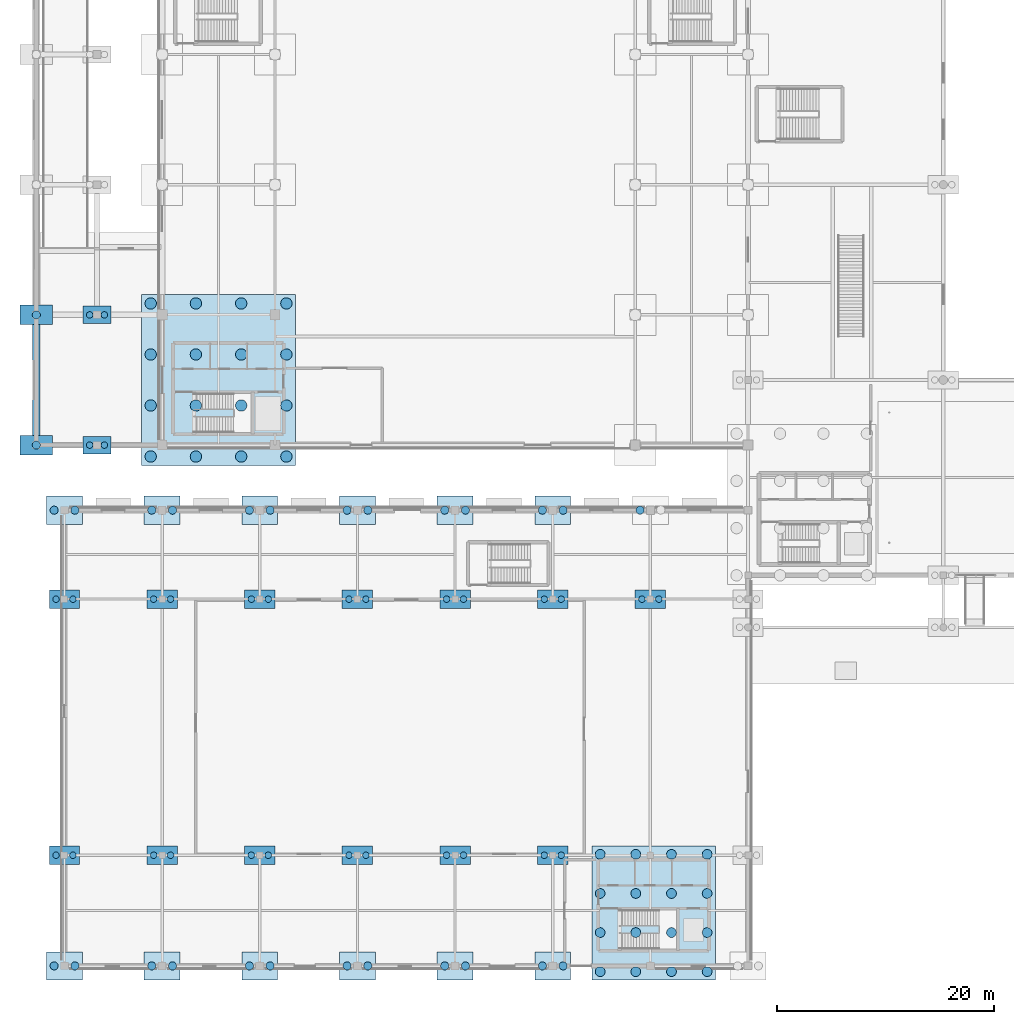
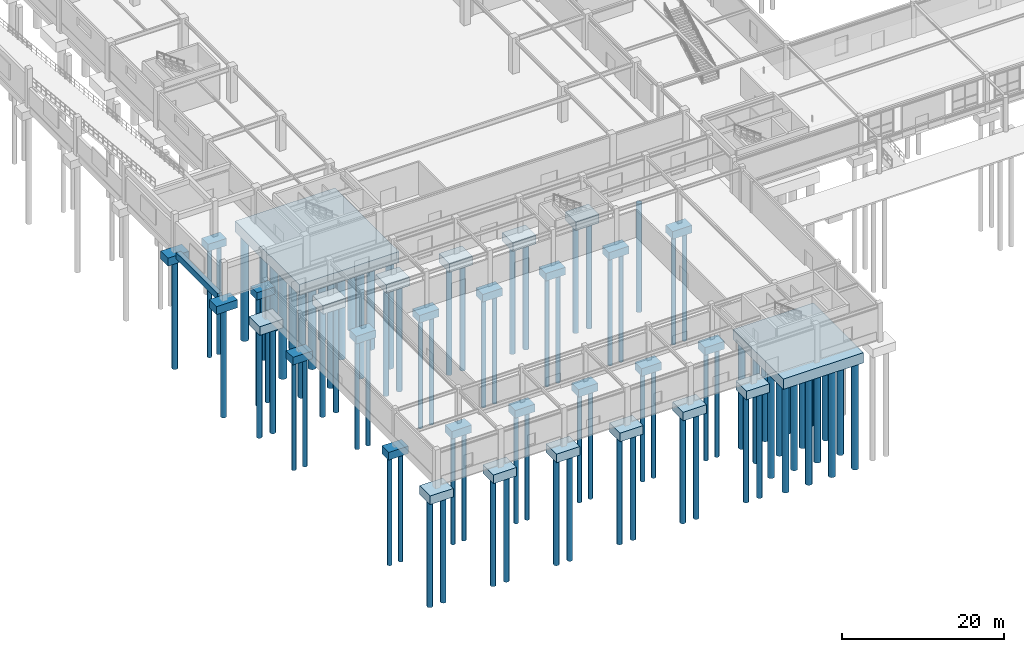
# One storey, part 1 of 53: 89 piles, 32 footings.
"""IFC4 building model written with IfcOpenShell, lengths in metres."""

from ifc_helpers import new_model, si_unit, derived_unit, direction, frame, origin, origin_2d, place, context, subcontext, project, spatial, polyline, rectangle, circle, outline, extrude, material, layer, layer_set, material_profile, profile_set, type_object, element, save


model = new_model("IFC4")

# Units and contexts
model_context = context("Model", 3, precision=1e-05, world=origin(), true_north=direction((0.0, 1.0)))
body_context = subcontext(model_context, "Body", "Model", "MODEL_VIEW")
ifc_project = project(units=[si_unit("LENGTHUNIT", "METRE"), si_unit("AREAUNIT", "SQUARE_METRE"), si_unit("VOLUMEUNIT", "CUBIC_METRE"), si_unit("PLANEANGLEUNIT", "RADIAN"), si_unit("MASSUNIT", "GRAM", prefix="KILO"), derived_unit("THERMALTRANSMITTANCEUNIT", [(si_unit("POWERUNIT", "WATT"), 1), (si_unit("LENGTHUNIT", "METRE"), -2), (si_unit("THERMODYNAMICTEMPERATUREUNIT", "KELVIN"), -1)])], contexts=[model_context])

# Site, building, storey
site_placement = place(None, origin())
site = spatial("IfcSite", under=ifc_project, at=site_placement, CompositionType="ELEMENT")
building_placement = place(site_placement, origin())
building = spatial("IfcBuilding", under=site, at=building_placement, Name="Almenara Railside Exhibition Hall", CompositionType="ELEMENT")
storey_placement = place(building_placement, origin())
storey = spatial("IfcBuildingStorey", under=building, at=storey_placement, Name="L00", CompositionType="ELEMENT", Elevation=0.0)

# Footings
ifc_material_1 = material(Name="Concrete C40/50", Category="concrete")
ifc_layer_1 = layer(ifc_material_1, 1.14990234375, Name="Concrete C40/50")
ifc_layer_set_1 = layer_set([ifc_layer_1], Name="Concrete C40/50")
footing_type_1 = type_object("IfcFootingType", Name="Arcade Two-Pile Cap 2800x1700x1150 C40/50", PredefinedType="PILE_CAP", material=ifc_layer_set_1)
footing_1_placement = place(storey_placement, frame((0.0, 0.0, -1.590087890625)))
element("IfcFooting", 1, at=footing_1_placement, inside=storey, type_object=footing_type_1, Name="Pile cap PC-2A-063", PredefinedType="PILE_CAP", context=body_context, shape_type="SweptSolid", body=[
    extrude(outline(polyline([(1.60009765625, 9.35009765625), (4.39990234375, 9.35009765625), (4.39990234375, 11.050048828125), (1.60009765625, 11.050048828125), (1.60009765625, 9.35009765625)])), origin(), (0.0, 0.0, 1.0), 1.150146484375),
])
footing_2_placement = place(storey_placement, frame((0.0, 0.0, -1.590087890625)))
element("IfcFooting", 2, at=footing_2_placement, inside=storey, type_object=footing_type_1, Name="Pile cap PC-2A-064", PredefinedType="PILE_CAP", context=body_context, shape_type="SweptSolid", body=[
    extrude(outline(polyline([(1.60009765625, 32.949951171875), (4.39990234375, 32.949951171875), (4.39990234375, 34.64990234375), (1.60009765625, 34.64990234375), (1.60009765625, 32.949951171875)])), origin(), (0.0, 0.0, 1.0), 1.150146484375),
])
footing_3_placement = place(storey_placement, frame((0.0, 0.0, -1.590087890625)))
element("IfcFooting", 3, at=footing_3_placement, inside=storey, type_object=footing_type_1, Name="Pile cap PC-2A-067", PredefinedType="PILE_CAP", context=body_context, shape_type="SweptSolid", body=[
    extrude(outline(polyline([(10.60009765625, 9.35009765625), (13.39990234375, 9.35009765625), (13.39990234375, 11.050048828125), (10.60009765625, 11.050048828125), (10.60009765625, 9.35009765625)])), origin(), (0.0, 0.0, 1.0), 1.150146484375),
])
footing_4_placement = place(storey_placement, frame((0.0, 0.0, -1.590087890625)))
element("IfcFooting", 4, at=footing_4_placement, inside=storey, type_object=footing_type_1, Name="Pile cap PC-2A-068", PredefinedType="PILE_CAP", context=body_context, shape_type="SweptSolid", body=[
    extrude(outline(polyline([(10.60009765625, 32.949951171875), (13.39990234375, 32.949951171875), (13.39990234375, 34.64990234375), (10.60009765625, 34.64990234375), (10.60009765625, 32.949951171875)])), origin(), (0.0, 0.0, 1.0), 1.150146484375),
])
footing_5_placement = place(storey_placement, frame((0.0, 0.0, -1.590087890625)))
element("IfcFooting", 5, at=footing_5_placement, inside=storey, type_object=footing_type_1, Name="Pile cap PC-2A-071", PredefinedType="PILE_CAP", context=body_context, shape_type="SweptSolid", body=[
    extrude(outline(polyline([(19.60009765625, 9.35009765625), (22.39990234375, 9.35009765625), (22.39990234375, 11.050048828125), (19.60009765625, 11.050048828125), (19.60009765625, 9.35009765625)])), origin(), (0.0, 0.0, 1.0), 1.150146484375),
])
footing_6_placement = place(storey_placement, frame((0.0, 0.0, -1.590087890625)))
element("IfcFooting", 6, at=footing_6_placement, inside=storey, type_object=footing_type_1, Name="Pile cap PC-2A-072", PredefinedType="PILE_CAP", context=body_context, shape_type="SweptSolid", body=[
    extrude(outline(polyline([(19.60009765625, 32.949951171875), (22.39990234375, 32.949951171875), (22.39990234375, 34.64990234375), (19.60009765625, 34.64990234375), (19.60009765625, 32.949951171875)])), origin(), (0.0, 0.0, 1.0), 1.150146484375),
])
footing_7_placement = place(storey_placement, frame((0.0, 0.0, -1.590087890625)))
element("IfcFooting", 7, at=footing_7_placement, inside=storey, type_object=footing_type_1, Name="Pile cap PC-2A-075", PredefinedType="PILE_CAP", context=body_context, shape_type="SweptSolid", body=[
    extrude(outline(polyline([(28.60009765625, 9.35009765625), (31.39990234375, 9.35009765625), (31.39990234375, 11.050048828125), (28.60009765625, 11.050048828125), (28.60009765625, 9.35009765625)])), origin(), (0.0, 0.0, 1.0), 1.150146484375),
])
footing_8_placement = place(storey_placement, frame((0.0, 0.0, -1.590087890625)))
element("IfcFooting", 8, at=footing_8_placement, inside=storey, type_object=footing_type_1, Name="Pile cap PC-2A-076", PredefinedType="PILE_CAP", context=body_context, shape_type="SweptSolid", body=[
    extrude(outline(polyline([(28.60009765625, 32.949951171875), (31.39990234375, 32.949951171875), (31.39990234375, 34.64990234375), (28.60009765625, 34.64990234375), (28.60009765625, 32.949951171875)])), origin(), (0.0, 0.0, 1.0), 1.150146484375),
])
footing_9_placement = place(storey_placement, frame((0.0, 0.0, -1.590087890625)))
element("IfcFooting", 9, at=footing_9_placement, inside=storey, type_object=footing_type_1, Name="Pile cap PC-2A-079", PredefinedType="PILE_CAP", context=body_context, shape_type="SweptSolid", body=[
    extrude(outline(polyline([(37.60009765625, 9.35009765625), (40.39990234375, 9.35009765625), (40.39990234375, 11.050048828125), (37.60009765625, 11.050048828125), (37.60009765625, 9.35009765625)])), origin(), (0.0, 0.0, 1.0), 1.150146484375),
])
footing_10_placement = place(storey_placement, frame((0.0, 0.0, -1.590087890625)))
element("IfcFooting", 10, at=footing_10_placement, inside=storey, type_object=footing_type_1, Name="Pile cap PC-2A-080", PredefinedType="PILE_CAP", context=body_context, shape_type="SweptSolid", body=[
    extrude(outline(polyline([(37.60009765625, 32.949951171875), (40.39990234375, 32.949951171875), (40.39990234375, 34.64990234375), (37.60009765625, 34.64990234375), (37.60009765625, 32.949951171875)])), origin(), (0.0, 0.0, 1.0), 1.150146484375),
])
footing_11_placement = place(storey_placement, frame((0.0, 0.0, -1.590087890625)))
element("IfcFooting", 11, at=footing_11_placement, inside=storey, type_object=footing_type_1, Name="Pile cap PC-2A-083", PredefinedType="PILE_CAP", context=body_context, shape_type="SweptSolid", body=[
    extrude(outline(polyline([(46.60009765625, 9.35009765625), (49.39990234375, 9.35009765625), (49.39990234375, 11.050048828125), (46.60009765625, 11.050048828125), (46.60009765625, 9.35009765625)])), origin(), (0.0, 0.0, 1.0), 1.150146484375),
])
footing_12_placement = place(storey_placement, frame((0.0, 0.0, -1.590087890625)))
element("IfcFooting", 12, at=footing_12_placement, inside=storey, type_object=footing_type_1, Name="Pile cap PC-2A-084", PredefinedType="PILE_CAP", context=body_context, shape_type="SweptSolid", body=[
    extrude(outline(polyline([(46.60009765625, 32.949951171875), (49.39990234375, 32.949951171875), (49.39990234375, 34.64990234375), (46.60009765625, 34.64990234375), (46.60009765625, 32.949951171875)])), origin(), (0.0, 0.0, 1.0), 1.150146484375),
])
footing_13_placement = place(storey_placement, frame((0.0, 0.0, -1.590087890625)))
element("IfcFooting", 13, at=footing_13_placement, inside=storey, type_object=footing_type_1, Name="Pile cap PC-2A-086", PredefinedType="PILE_CAP", context=body_context, shape_type="SweptSolid", body=[
    extrude(outline(polyline([(55.60009765625, 32.949951171875), (58.39990234375, 32.949951171875), (58.39990234375, 34.64990234375), (55.60009765625, 34.64990234375), (55.60009765625, 32.949951171875)])), origin(), (0.0, 0.0, 1.0), 1.150146484375),
])

# Piles
ifc_material_profile_1 = material_profile(ifc_material_1, circle(Radius=0.52490234375, at=origin_2d()), Name="CFA-PILE D1050")
ifc_profile_set_1 = profile_set([ifc_material_profile_1], Name="Concrete C40/50")
pile_type_1 = type_object("IfcPileType", Name="CFA Bored Pile D1050 C40/50", PredefinedType="BORED", material=ifc_profile_set_1)
for number, where, z_axis, x_axis, name in (
    (14, (10.945068359375, 46.945068359375, -1.989990234375), (0.0, 0.0, -1.0), (1.0, 0.0, 0.0), "Bored pile 0001"),
    (15, (10.945068359375, 51.64794921875, -1.989990234375), (0.0, 0.0, -1.0), (1.0, 0.0, 0.0), "Bored pile 0002"),
    (16, (10.945068359375, 56.35205078125, -1.989990234375), (0.0, 0.0, -1.0), (1.0, 0.0, 0.0), "Bored pile 0003"),
    (17, (10.945068359375, 61.054931640625, -1.989990234375), (0.0, 0.0, -1.0), (1.0, 0.0, 0.0), "Bored pile 0004"),
    (18, (15.114990234375, 46.945068359375, -1.989990234375), (0.0, 0.0, -1.0), (1.0, 0.0, 0.0), "Bored pile 0005"),
    (19, (15.114990234375, 51.64794921875, -1.989990234375), (0.0, 0.0, -1.0), (1.0, 0.0, 0.0), "Bored pile 0006"),
    (20, (15.114990234375, 56.35205078125, -1.989990234375), (0.0, 0.0, -1.0), (1.0, 0.0, 0.0), "Bored pile 0007"),
    (21, (15.114990234375, 61.054931640625, -1.989990234375), (0.0, 0.0, -1.0), (1.0, 0.0, 0.0), "Bored pile 0008"),
    (22, (19.284912109375, 46.945068359375, -1.989990234375), (0.0, 0.0, -1.0), (1.0, 0.0, 0.0), "Bored pile 0009"),
    (23, (19.284912109375, 51.64794921875, -1.989990234375), (0.0, 0.0, -1.0), (1.0, 0.0, 0.0), "Bored pile 0010"),
    (24, (19.284912109375, 56.35205078125, -1.989990234375), (0.0, 0.0, -1.0), (1.0, 0.0, 0.0), "Bored pile 0011"),
    (25, (19.284912109375, 61.054931640625, -1.989990234375), (0.0, 0.0, -1.0), (1.0, 0.0, 0.0), "Bored pile 0012"),
    (26, (23.455078125, 46.945068359375, -1.989990234375), (0.0, 0.0, -1.0), (1.0, 0.0, 0.0), "Bored pile 0013"),
    (27, (23.455078125, 51.64794921875, -1.989990234375), (0.0, 0.0, -1.0), (1.0, 0.0, 0.0), "Bored pile 0014"),
    (28, (23.455078125, 56.35205078125, -1.989990234375), (0.0, 0.0, -1.0), (1.0, 0.0, 0.0), "Bored pile 0015"),
    (29, (23.455078125, 61.054931640625, -1.989990234375), (0.0, 0.0, -1.0), (1.0, 0.0, 0.0), "Bored pile 0016"),
):
    element("IfcPile", number, at=place(storey_placement, frame(where, z_axis=z_axis, x_axis=x_axis)), inside=storey, type_object=pile_type_1, Name=name, PredefinedType="BORED", context=body_context, shape_type="SweptSolid", body=[
        extrude(circle(Radius=0.52490234375, at=origin_2d()), origin(), (0.0, 0.0, 1.0), 16.010009765625),
    ])
ifc_material_profile_2 = material_profile(ifc_material_1, circle(Radius=0.300048828125, at=origin_2d()), Name="CFA-PILE D600")
ifc_profile_set_2 = profile_set([ifc_material_profile_2], Name="Concrete C40/50")
pile_type_2 = type_object("IfcPileType", Name="CFA Bored Pile D600 C40/50", PredefinedType="BORED", material=ifc_profile_set_2)
for number, where, z_axis, x_axis, name in (
    (30, (2.219970703125, 10.199951171875, -1.489990234375), (0.0, 0.0, -1.0), (1.0, 0.0, 0.0), "Bored pile 0207"),
    (31, (3.780029296875, 10.199951171875, -1.489990234375), (0.0, 0.0, -1.0), (1.0, 0.0, 0.0), "Bored pile 0208"),
    (32, (2.219970703125, 33.800048828125, -1.489990234375), (0.0, 0.0, -1.0), (1.0, 0.0, 0.0), "Bored pile 0209"),
    (33, (3.780029296875, 33.800048828125, -1.489990234375), (0.0, 0.0, -1.0), (1.0, 0.0, 0.0), "Bored pile 0210"),
    (34, (11.219970703125, 10.199951171875, -1.489990234375), (0.0, 0.0, -1.0), (1.0, 0.0, 0.0), "Bored pile 0215"),
    (35, (12.780029296875, 10.199951171875, -1.489990234375), (0.0, 0.0, -1.0), (1.0, 0.0, 0.0), "Bored pile 0216"),
    (36, (11.219970703125, 33.800048828125, -1.489990234375), (0.0, 0.0, -1.0), (1.0, 0.0, 0.0), "Bored pile 0217"),
    (37, (12.780029296875, 33.800048828125, -1.489990234375), (0.0, 0.0, -1.0), (1.0, 0.0, 0.0), "Bored pile 0218"),
    (38, (20.219970703125, 10.199951171875, -1.489990234375), (0.0, 0.0, -1.0), (1.0, 0.0, 0.0), "Bored pile 0223"),
    (39, (21.780029296875, 10.199951171875, -1.489990234375), (0.0, 0.0, -1.0), (1.0, 0.0, 0.0), "Bored pile 0224"),
    (40, (20.219970703125, 33.800048828125, -1.489990234375), (0.0, 0.0, -1.0), (1.0, 0.0, 0.0), "Bored pile 0225"),
    (41, (21.780029296875, 33.800048828125, -1.489990234375), (0.0, 0.0, -1.0), (1.0, 0.0, 0.0), "Bored pile 0226"),
    (42, (29.219970703125, 10.199951171875, -1.489990234375), (0.0, 0.0, -1.0), (1.0, 0.0, 0.0), "Bored pile 0231"),
    (43, (30.780029296875, 10.199951171875, -1.489990234375), (0.0, 0.0, -1.0), (1.0, 0.0, 0.0), "Bored pile 0232"),
    (44, (29.219970703125, 33.800048828125, -1.489990234375), (0.0, 0.0, -1.0), (1.0, 0.0, 0.0), "Bored pile 0233"),
    (45, (30.780029296875, 33.800048828125, -1.489990234375), (0.0, 0.0, -1.0), (1.0, 0.0, 0.0), "Bored pile 0234"),
    (46, (38.219970703125, 10.199951171875, -1.489990234375), (0.0, 0.0, -1.0), (1.0, 0.0, 0.0), "Bored pile 0239"),
    (47, (39.780029296875, 10.199951171875, -1.489990234375), (0.0, 0.0, -1.0), (1.0, 0.0, 0.0), "Bored pile 0240"),
    (48, (38.219970703125, 33.800048828125, -1.489990234375), (0.0, 0.0, -1.0), (1.0, 0.0, 0.0), "Bored pile 0241"),
    (49, (39.780029296875, 33.800048828125, -1.489990234375), (0.0, 0.0, -1.0), (1.0, 0.0, 0.0), "Bored pile 0242"),
    (50, (47.219970703125, 10.199951171875, -1.489990234375), (0.0, 0.0, -1.0), (1.0, 0.0, 0.0), "Bored pile 0247"),
    (51, (48.780029296875, 10.199951171875, -1.489990234375), (0.0, 0.0, -1.0), (1.0, 0.0, 0.0), "Bored pile 0248"),
    (52, (47.219970703125, 33.800048828125, -1.489990234375), (0.0, 0.0, -1.0), (1.0, 0.0, 0.0), "Bored pile 0249"),
    (53, (48.780029296875, 33.800048828125, -1.489990234375), (0.0, 0.0, -1.0), (1.0, 0.0, 0.0), "Bored pile 0250"),
    (54, (56.219970703125, 33.800048828125, -1.489990234375), (0.0, 0.0, -1.0), (1.0, 0.0, 0.0), "Bored pile 0253"),
    (55, (57.780029296875, 33.800048828125, -1.489990234375), (0.0, 0.0, -1.0), (1.0, 0.0, 0.0), "Bored pile 0254"),
):
    element("IfcPile", number, at=place(storey_placement, frame(where, z_axis=z_axis, x_axis=x_axis)), inside=storey, type_object=pile_type_2, Name=name, PredefinedType="BORED", context=body_context, shape_type="SweptSolid", body=[
        extrude(circle(Radius=0.300048828125, at=origin_2d()), origin(), (0.0, 0.0, 1.0), 16.510009765625),
    ])
for number, where, z_axis, x_axis, name in (
    (56, (5.320068359375, 48.0, -1.43994140625), (0.0, 0.0, -1.0), (1.0, 0.0, 0.0), "Bored pile 0298"),
    (57, (6.679931640625, 48.0, -1.43994140625), (0.0, 0.0, -1.0), (1.0, 0.0, 0.0), "Bored pile 0299"),
    (58, (5.320068359375, 60.0, -1.43994140625), (0.0, 0.0, -1.0), (1.0, 0.0, 0.0), "Bored pile 0301"),
    (59, (6.679931640625, 60.0, -1.43994140625), (0.0, 0.0, -1.0), (1.0, 0.0, 0.0), "Bored pile 0302"),
):
    element("IfcPile", number, at=place(storey_placement, frame(where, z_axis=z_axis, x_axis=x_axis)), inside=storey, type_object=pile_type_2, Name=name, PredefinedType="BORED", context=body_context, shape_type="SweptSolid", body=[
        extrude(circle(Radius=0.300048828125, at=origin_2d()), origin(), (0.0, 0.0, 1.0), 16.56005859375),
    ])
ifc_material_profile_3 = material_profile(ifc_material_1, circle(Radius=0.375, at=origin_2d()), Name="CFA-PILE D750")
ifc_profile_set_3 = profile_set([ifc_material_profile_3], Name="Concrete C40/50")
pile_type_3 = type_object("IfcPileType", Name="CFA Bored Pile D750 C40/50", PredefinedType="BORED", material=ifc_profile_set_3)
for number, where, z_axis, x_axis, name in (
    (60, (2.044921875, 0.0, -1.639892578125), (0.0, 0.0, -1.0), (1.0, 0.0, 0.0), "Bored pile 0203"),
    (61, (3.955078125, 0.0, -1.639892578125), (0.0, 0.0, -1.0), (1.0, 0.0, 0.0), "Bored pile 0204"),
    (62, (2.044921875, 42.0, -1.639892578125), (0.0, 0.0, -1.0), (1.0, 0.0, 0.0), "Bored pile 0205"),
    (63, (3.955078125, 42.0, -1.639892578125), (0.0, 0.0, -1.0), (1.0, 0.0, 0.0), "Bored pile 0206"),
    (64, (11.044921875, 0.0, -1.639892578125), (0.0, 0.0, -1.0), (1.0, 0.0, 0.0), "Bored pile 0211"),
    (65, (12.955078125, 0.0, -1.639892578125), (0.0, 0.0, -1.0), (1.0, 0.0, 0.0), "Bored pile 0212"),
    (66, (11.044921875, 42.0, -1.639892578125), (0.0, 0.0, -1.0), (1.0, 0.0, 0.0), "Bored pile 0213"),
    (67, (12.955078125, 42.0, -1.639892578125), (0.0, 0.0, -1.0), (1.0, 0.0, 0.0), "Bored pile 0214"),
    (68, (20.044921875, 0.0, -1.639892578125), (0.0, 0.0, -1.0), (1.0, 0.0, 0.0), "Bored pile 0219"),
    (69, (21.955078125, 0.0, -1.639892578125), (0.0, 0.0, -1.0), (1.0, 0.0, 0.0), "Bored pile 0220"),
    (70, (20.044921875, 42.0, -1.639892578125), (0.0, 0.0, -1.0), (1.0, 0.0, 0.0), "Bored pile 0221"),
    (71, (21.955078125, 42.0, -1.639892578125), (0.0, 0.0, -1.0), (1.0, 0.0, 0.0), "Bored pile 0222"),
    (72, (29.044921875, 0.0, -1.639892578125), (0.0, 0.0, -1.0), (1.0, 0.0, 0.0), "Bored pile 0227"),
    (73, (30.955078125, 0.0, -1.639892578125), (0.0, 0.0, -1.0), (1.0, 0.0, 0.0), "Bored pile 0228"),
    (74, (29.044921875, 42.0, -1.639892578125), (0.0, 0.0, -1.0), (1.0, 0.0, 0.0), "Bored pile 0229"),
    (75, (30.955078125, 42.0, -1.639892578125), (0.0, 0.0, -1.0), (1.0, 0.0, 0.0), "Bored pile 0230"),
    (76, (38.044921875, 0.0, -1.639892578125), (0.0, 0.0, -1.0), (1.0, 0.0, 0.0), "Bored pile 0235"),
    (77, (39.955078125, 0.0, -1.639892578125), (0.0, 0.0, -1.0), (1.0, 0.0, 0.0), "Bored pile 0236"),
    (78, (38.044921875, 42.0, -1.639892578125), (0.0, 0.0, -1.0), (1.0, 0.0, 0.0), "Bored pile 0237"),
    (79, (39.955078125, 42.0, -1.639892578125), (0.0, 0.0, -1.0), (1.0, 0.0, 0.0), "Bored pile 0238"),
    (80, (47.044921875, 0.0, -1.639892578125), (0.0, 0.0, -1.0), (1.0, 0.0, 0.0), "Bored pile 0243"),
    (81, (48.955078125, 0.0, -1.639892578125), (0.0, 0.0, -1.0), (1.0, 0.0, 0.0), "Bored pile 0244"),
    (82, (47.044921875, 42.0, -1.639892578125), (0.0, 0.0, -1.0), (1.0, 0.0, 0.0), "Bored pile 0245"),
    (83, (48.955078125, 42.0, -1.639892578125), (0.0, 0.0, -1.0), (1.0, 0.0, 0.0), "Bored pile 0246"),
    (84, (56.044921875, 42.0, -1.639892578125), (0.0, 0.0, -1.0), (1.0, 0.0, 0.0), "Bored pile 0251"),
):
    element("IfcPile", number, at=place(storey_placement, frame(where, z_axis=z_axis, x_axis=x_axis)), inside=storey, type_object=pile_type_3, Name=name, PredefinedType="BORED", context=body_context, shape_type="SweptSolid", body=[
        extrude(circle(Radius=0.375, at=origin_2d()), origin(), (0.0, 0.0, 1.0), 16.360107421875),
    ])
for number, where, z_axis, x_axis, name in (
    (85, (0.39990234375, 48.0, -1.5400390625), (0.0, 0.0, -1.0), (1.0, 0.0, 0.0), "Bored pile 0297"),
    (86, (0.39990234375, 60.0, -1.5400390625), (0.0, 0.0, -1.0), (1.0, 0.0, 0.0), "Bored pile 0300"),
):
    element("IfcPile", number, at=place(storey_placement, frame(where, z_axis=z_axis, x_axis=x_axis)), inside=storey, type_object=pile_type_3, Name=name, PredefinedType="BORED", context=body_context, shape_type="SweptSolid", body=[
        extrude(circle(Radius=0.375, at=origin_2d()), origin(), (0.0, 0.0, 1.0), 16.4599609375),
    ])
ifc_material_profile_4 = material_profile(ifc_material_1, circle(Radius=0.449951171875, at=origin_2d()), Name="CFA-PILE D900")
ifc_profile_set_4 = profile_set([ifc_material_profile_4], Name="Concrete C40/50")
pile_type_4 = type_object("IfcPileType", Name="CFA Bored Pile D900 C40/50", PredefinedType="BORED", material=ifc_profile_set_4)
for number, where, z_axis, x_axis, name in (
    (87, (52.3701171875, -0.530029296875, -1.889892578125), (0.0, 0.0, -1.0), (1.0, 0.0, 0.0), "Bored pile 0097"),
    (88, (52.3701171875, 3.072998046875, -1.889892578125), (0.0, 0.0, -1.0), (1.0, 0.0, 0.0), "Bored pile 0098"),
    (89, (52.3701171875, 6.677001953125, -1.889892578125), (0.0, 0.0, -1.0), (1.0, 0.0, 0.0), "Bored pile 0099"),
    (90, (52.3701171875, 10.280029296875, -1.889892578125), (0.0, 0.0, -1.0), (1.0, 0.0, 0.0), "Bored pile 0100"),
    (91, (55.656982421875, -0.530029296875, -1.889892578125), (0.0, 0.0, -1.0), (1.0, 0.0, 0.0), "Bored pile 0101"),
    (92, (55.656982421875, 3.072998046875, -1.889892578125), (0.0, 0.0, -1.0), (1.0, 0.0, 0.0), "Bored pile 0102"),
    (93, (55.656982421875, 6.677001953125, -1.889892578125), (0.0, 0.0, -1.0), (1.0, 0.0, 0.0), "Bored pile 0103"),
    (94, (55.656982421875, 10.280029296875, -1.889892578125), (0.0, 0.0, -1.0), (1.0, 0.0, 0.0), "Bored pile 0104"),
    (95, (58.943115234375, -0.530029296875, -1.889892578125), (0.0, 0.0, -1.0), (1.0, 0.0, 0.0), "Bored pile 0105"),
    (96, (58.943115234375, 3.072998046875, -1.889892578125), (0.0, 0.0, -1.0), (1.0, 0.0, 0.0), "Bored pile 0106"),
    (97, (58.943115234375, 6.677001953125, -1.889892578125), (0.0, 0.0, -1.0), (1.0, 0.0, 0.0), "Bored pile 0107"),
    (98, (58.943115234375, 10.280029296875, -1.889892578125), (0.0, 0.0, -1.0), (1.0, 0.0, 0.0), "Bored pile 0108"),
    (99, (62.22998046875, -0.530029296875, -1.889892578125), (0.0, 0.0, -1.0), (1.0, 0.0, 0.0), "Bored pile 0109"),
    (100, (62.22998046875, 3.072998046875, -1.889892578125), (0.0, 0.0, -1.0), (1.0, 0.0, 0.0), "Bored pile 0110"),
    (101, (62.22998046875, 6.677001953125, -1.889892578125), (0.0, 0.0, -1.0), (1.0, 0.0, 0.0), "Bored pile 0111"),
    (102, (62.22998046875, 10.280029296875, -1.889892578125), (0.0, 0.0, -1.0), (1.0, 0.0, 0.0), "Bored pile 0112"),
):
    element("IfcPile", number, at=place(storey_placement, frame(where, z_axis=z_axis, x_axis=x_axis)), inside=storey, type_object=pile_type_4, Name=name, PredefinedType="BORED", context=body_context, shape_type="SweptSolid", body=[
        extrude(circle(Radius=0.449951171875, at=origin_2d()), origin(), (0.0, 0.0, 1.0), 16.110107421875),
    ])

# Footings
ifc_layer_2 = layer(ifc_material_1, 1.64990234375, Name="Concrete C40/50")
ifc_layer_set_2 = layer_set([ifc_layer_2], Name="Concrete C40/50")
footing_type_2 = type_object("IfcFootingType", Name="Core Nine-Pile Raft Cap 10400x9600x1650 C40/50", PredefinedType="PILE_CAP", material=ifc_layer_set_2)
footing_14_placement = place(storey_placement, frame((0.0, 0.0, -2.090087890625)))
element("IfcFooting", 103, at=footing_14_placement, inside=storey, type_object=footing_type_2, Name="Pile cap PC-9A-001", PredefinedType="PILE_CAP", context=body_context, shape_type="SweptSolid", body=[
    extrude(outline(polyline([(10.10009765625, 46.10009765625), (24.300048828125, 46.10009765625), (24.300048828125, 61.89990234375), (10.10009765625, 61.89990234375), (10.10009765625, 46.10009765625)])), origin(), (0.0, 0.0, 1.0), 1.650146484375),
])
ifc_layer_3 = layer(ifc_material_1, 1.550048828125, Name="Concrete C40/50")
ifc_layer_set_3 = layer_set([ifc_layer_3], Name="Concrete C40/50")
footing_type_3 = type_object("IfcFootingType", Name="Core Six-Pile Cap 9400x9000x1550 C40/50", PredefinedType="PILE_CAP", material=ifc_layer_set_3)
footing_15_placement = place(storey_placement, frame((0.0, 0.0, -1.989990234375)))
element("IfcFooting", 104, at=footing_15_placement, inside=storey, type_object=footing_type_3, Name="Pile cap PC-6A-007", PredefinedType="PILE_CAP", context=body_context, shape_type="SweptSolid", body=[
    extrude(outline(polyline([(51.60009765625, -1.300048828125), (63.0, -1.300048828125), (63.0, 11.050048828125), (51.60009765625, 11.050048828125), (51.60009765625, -1.300048828125)])), origin(), (0.0, 0.0, 1.0), 1.550048828125),
])
ifc_layer_4 = layer(ifc_material_1, 1.199951171875, Name="Concrete C40/50")
ifc_layer_set_4 = layer_set([ifc_layer_4], Name="Concrete C40/50")
footing_type_4 = type_object("IfcFootingType", Name="Gallery Two-Pile Cap 3000x1800x1200 C40/50", PredefinedType="PILE_CAP", material=ifc_layer_set_4)
footing_16_placement = place(storey_placement, frame((0.0, 0.0, -1.639892578125)))
element("IfcFooting", 105, at=footing_16_placement, inside=storey, type_object=footing_type_4, Name="Pile cap PC-2G-108", PredefinedType="PILE_CAP", context=body_context, shape_type="SweptSolid", body=[
    extrude(outline(polyline([(-1.10009765625, 47.10009765625), (1.89990234375, 47.10009765625), (1.89990234375, 48.89990234375), (-1.10009765625, 48.89990234375), (-1.10009765625, 47.10009765625)])), origin(), (0.0, 0.0, 1.0), 1.199951171875),
])
footing_17_placement = place(storey_placement, frame((0.0, 0.0, -1.639892578125)))
element("IfcFooting", 106, at=footing_17_placement, inside=storey, type_object=footing_type_4, Name="Pile cap PC-2G-110", PredefinedType="PILE_CAP", context=body_context, shape_type="SweptSolid", body=[
    extrude(outline(polyline([(-1.10009765625, 59.10009765625), (1.89990234375, 59.10009765625), (1.89990234375, 60.89990234375), (-1.10009765625, 60.89990234375), (-1.10009765625, 59.10009765625)])), origin(), (0.0, 0.0, 1.0), 1.199951171875),
])
ifc_material_2 = material(Name="Concrete C35/45", Category="concrete")
ifc_material_profile_5 = material_profile(ifc_material_2, rectangle(XDim=0.64990234375, YDim=0.949951171875, at=origin_2d()), Name="RC-GB 650x950")
ifc_profile_set_5 = profile_set([ifc_material_profile_5], Name="Concrete C35/45")
footing_type_5 = type_object("IfcFootingType", Name="Ground Tie Beam 650x950 C35/45", PredefinedType="FOOTING_BEAM", material=ifc_profile_set_5)
footing_18_placement = place(storey_placement, frame((0.39990234375, 48.902099609375, -0.47509765625), z_axis=(0.0, 1.0, 0.0), x_axis=(-1.0, 0.0, 0.0)))
element("IfcFooting", 107, at=footing_18_placement, inside=storey, type_object=footing_type_5, Name="GB-V6-48", PredefinedType="FOOTING_BEAM", context=body_context, shape_type="SweptSolid", body=[
    extrude(rectangle(XDim=0.64990234375, YDim=0.949951171875, at=origin_2d()), origin(), (0.0, 0.0, 1.0), 10.19580078125),
])
ifc_layer_5 = layer(ifc_material_1, 1.300048828125, Name="Concrete C40/50")
ifc_layer_set_5 = layer_set([ifc_layer_5], Name="Concrete C40/50")
footing_type_6 = type_object("IfcFootingType", Name="Plenary Three-Pile Cap 3300x2600x1300 C40/50", PredefinedType="PILE_CAP", material=ifc_layer_set_5)
footing_19_placement = place(storey_placement, frame((0.0, 0.0, -1.739990234375)))
element("IfcFooting", 108, at=footing_19_placement, inside=storey, type_object=footing_type_6, Name="Pile cap PC-3P-061", PredefinedType="PILE_CAP", context=body_context, shape_type="SweptSolid", body=[
    extrude(outline(polyline([(1.35009765625, -1.300048828125), (4.64990234375, -1.300048828125), (4.64990234375, 1.300048828125), (1.35009765625, 1.300048828125), (1.35009765625, -1.300048828125)])), origin(), (0.0, 0.0, 1.0), 1.300048828125),
])
footing_20_placement = place(storey_placement, frame((0.0, 0.0, -1.739990234375)))
element("IfcFooting", 109, at=footing_20_placement, inside=storey, type_object=footing_type_6, Name="Pile cap PC-3P-062", PredefinedType="PILE_CAP", context=body_context, shape_type="SweptSolid", body=[
    extrude(outline(polyline([(1.35009765625, 40.699951171875), (4.64990234375, 40.699951171875), (4.64990234375, 43.300048828125), (1.35009765625, 43.300048828125), (1.35009765625, 40.699951171875)])), origin(), (0.0, 0.0, 1.0), 1.300048828125),
])
footing_21_placement = place(storey_placement, frame((0.0, 0.0, -1.739990234375)))
element("IfcFooting", 110, at=footing_21_placement, inside=storey, type_object=footing_type_6, Name="Pile cap PC-3P-065", PredefinedType="PILE_CAP", context=body_context, shape_type="SweptSolid", body=[
    extrude(outline(polyline([(10.35009765625, -1.300048828125), (13.64990234375, -1.300048828125), (13.64990234375, 1.300048828125), (10.35009765625, 1.300048828125), (10.35009765625, -1.300048828125)])), origin(), (0.0, 0.0, 1.0), 1.300048828125),
])
footing_22_placement = place(storey_placement, frame((0.0, 0.0, -1.739990234375)))
element("IfcFooting", 111, at=footing_22_placement, inside=storey, type_object=footing_type_6, Name="Pile cap PC-3P-066", PredefinedType="PILE_CAP", context=body_context, shape_type="SweptSolid", body=[
    extrude(outline(polyline([(10.35009765625, 40.699951171875), (13.64990234375, 40.699951171875), (13.64990234375, 43.300048828125), (10.35009765625, 43.300048828125), (10.35009765625, 40.699951171875)])), origin(), (0.0, 0.0, 1.0), 1.300048828125),
])
footing_23_placement = place(storey_placement, frame((0.0, 0.0, -1.739990234375)))
element("IfcFooting", 112, at=footing_23_placement, inside=storey, type_object=footing_type_6, Name="Pile cap PC-3P-069", PredefinedType="PILE_CAP", context=body_context, shape_type="SweptSolid", body=[
    extrude(outline(polyline([(19.35009765625, -1.300048828125), (22.64990234375, -1.300048828125), (22.64990234375, 1.300048828125), (19.35009765625, 1.300048828125), (19.35009765625, -1.300048828125)])), origin(), (0.0, 0.0, 1.0), 1.300048828125),
])
footing_24_placement = place(storey_placement, frame((0.0, 0.0, -1.739990234375)))
element("IfcFooting", 113, at=footing_24_placement, inside=storey, type_object=footing_type_6, Name="Pile cap PC-3P-070", PredefinedType="PILE_CAP", context=body_context, shape_type="SweptSolid", body=[
    extrude(outline(polyline([(19.35009765625, 40.699951171875), (22.64990234375, 40.699951171875), (22.64990234375, 43.300048828125), (19.35009765625, 43.300048828125), (19.35009765625, 40.699951171875)])), origin(), (0.0, 0.0, 1.0), 1.300048828125),
])
footing_25_placement = place(storey_placement, frame((0.0, 0.0, -1.739990234375)))
element("IfcFooting", 114, at=footing_25_placement, inside=storey, type_object=footing_type_6, Name="Pile cap PC-3P-073", PredefinedType="PILE_CAP", context=body_context, shape_type="SweptSolid", body=[
    extrude(outline(polyline([(28.35009765625, -1.300048828125), (31.64990234375, -1.300048828125), (31.64990234375, 1.300048828125), (28.35009765625, 1.300048828125), (28.35009765625, -1.300048828125)])), origin(), (0.0, 0.0, 1.0), 1.300048828125),
])
footing_26_placement = place(storey_placement, frame((0.0, 0.0, -1.739990234375)))
element("IfcFooting", 115, at=footing_26_placement, inside=storey, type_object=footing_type_6, Name="Pile cap PC-3P-074", PredefinedType="PILE_CAP", context=body_context, shape_type="SweptSolid", body=[
    extrude(outline(polyline([(28.35009765625, 40.699951171875), (31.64990234375, 40.699951171875), (31.64990234375, 43.300048828125), (28.35009765625, 43.300048828125), (28.35009765625, 40.699951171875)])), origin(), (0.0, 0.0, 1.0), 1.300048828125),
])
footing_27_placement = place(storey_placement, frame((0.0, 0.0, -1.739990234375)))
element("IfcFooting", 116, at=footing_27_placement, inside=storey, type_object=footing_type_6, Name="Pile cap PC-3P-077", PredefinedType="PILE_CAP", context=body_context, shape_type="SweptSolid", body=[
    extrude(outline(polyline([(37.35009765625, -1.300048828125), (40.64990234375, -1.300048828125), (40.64990234375, 1.300048828125), (37.35009765625, 1.300048828125), (37.35009765625, -1.300048828125)])), origin(), (0.0, 0.0, 1.0), 1.300048828125),
])
footing_28_placement = place(storey_placement, frame((0.0, 0.0, -1.739990234375)))
element("IfcFooting", 117, at=footing_28_placement, inside=storey, type_object=footing_type_6, Name="Pile cap PC-3P-078", PredefinedType="PILE_CAP", context=body_context, shape_type="SweptSolid", body=[
    extrude(outline(polyline([(37.35009765625, 40.699951171875), (40.64990234375, 40.699951171875), (40.64990234375, 43.300048828125), (37.35009765625, 43.300048828125), (37.35009765625, 40.699951171875)])), origin(), (0.0, 0.0, 1.0), 1.300048828125),
])
footing_29_placement = place(storey_placement, frame((0.0, 0.0, -1.739990234375)))
element("IfcFooting", 118, at=footing_29_placement, inside=storey, type_object=footing_type_6, Name="Pile cap PC-3P-081", PredefinedType="PILE_CAP", context=body_context, shape_type="SweptSolid", body=[
    extrude(outline(polyline([(46.35009765625, -1.300048828125), (49.64990234375, -1.300048828125), (49.64990234375, 1.300048828125), (46.35009765625, 1.300048828125), (46.35009765625, -1.300048828125)])), origin(), (0.0, 0.0, 1.0), 1.300048828125),
])
footing_30_placement = place(storey_placement, frame((0.0, 0.0, -1.739990234375)))
element("IfcFooting", 119, at=footing_30_placement, inside=storey, type_object=footing_type_6, Name="Pile cap PC-3P-082", PredefinedType="PILE_CAP", context=body_context, shape_type="SweptSolid", body=[
    extrude(outline(polyline([(46.35009765625, 40.699951171875), (49.64990234375, 40.699951171875), (49.64990234375, 43.300048828125), (46.35009765625, 43.300048828125), (46.35009765625, 40.699951171875)])), origin(), (0.0, 0.0, 1.0), 1.300048828125),
])
ifc_layer_6 = layer(ifc_material_1, 1.10009765625, Name="Concrete C40/50")
ifc_layer_set_6 = layer_set([ifc_layer_6], Name="Concrete C40/50")
footing_type_7 = type_object("IfcFootingType", Name="Ramp Two-Pile Cap 2600x1600x1100 C40/50", PredefinedType="PILE_CAP", material=ifc_layer_set_6)
footing_31_placement = place(storey_placement, frame((0.0, 0.0, -1.5400390625)))
element("IfcFooting", 120, at=footing_31_placement, inside=storey, type_object=footing_type_7, Name="Pile cap PC-2R-109", PredefinedType="PILE_CAP", context=body_context, shape_type="SweptSolid", body=[
    extrude(outline(polyline([(4.699951171875, 47.199951171875), (7.300048828125, 47.199951171875), (7.300048828125, 48.800048828125), (4.699951171875, 48.800048828125), (4.699951171875, 47.199951171875)])), origin(), (0.0, 0.0, 1.0), 1.10009765625),
])
footing_32_placement = place(storey_placement, frame((0.0, 0.0, -1.5400390625)))
element("IfcFooting", 121, at=footing_32_placement, inside=storey, type_object=footing_type_7, Name="Pile cap PC-2R-111", PredefinedType="PILE_CAP", context=body_context, shape_type="SweptSolid", body=[
    extrude(outline(polyline([(4.699951171875, 59.199951171875), (7.300048828125, 59.199951171875), (7.300048828125, 60.800048828125), (4.699951171875, 60.800048828125), (4.699951171875, 59.199951171875)])), origin(), (0.0, 0.0, 1.0), 1.10009765625),
])

save(model, "model.ifc")
